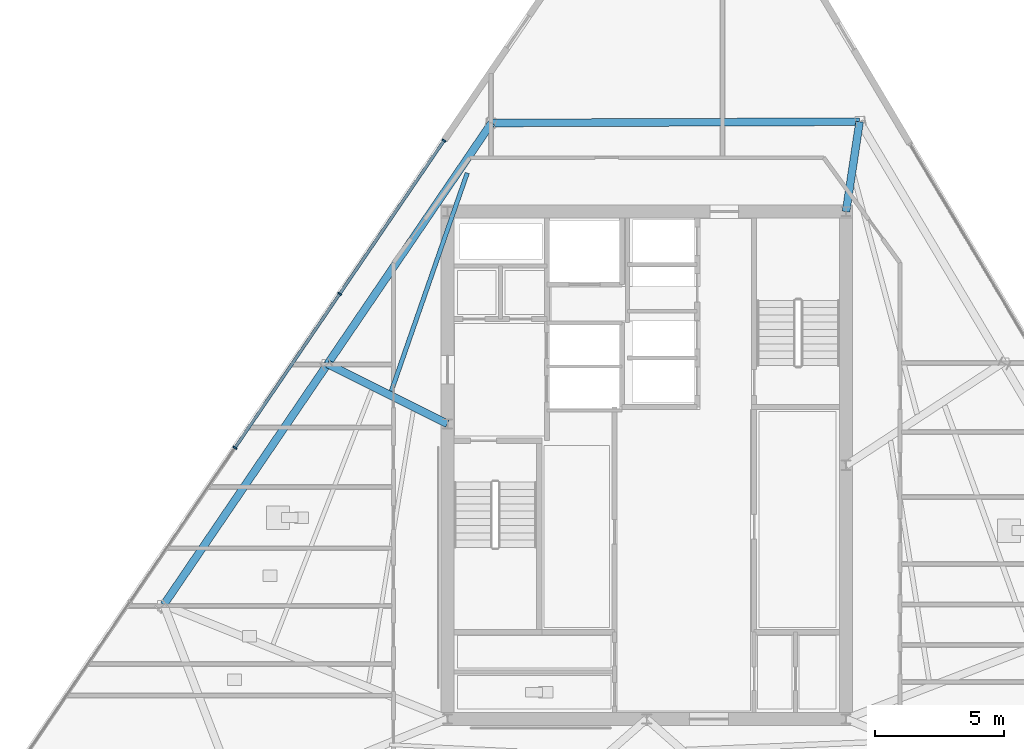
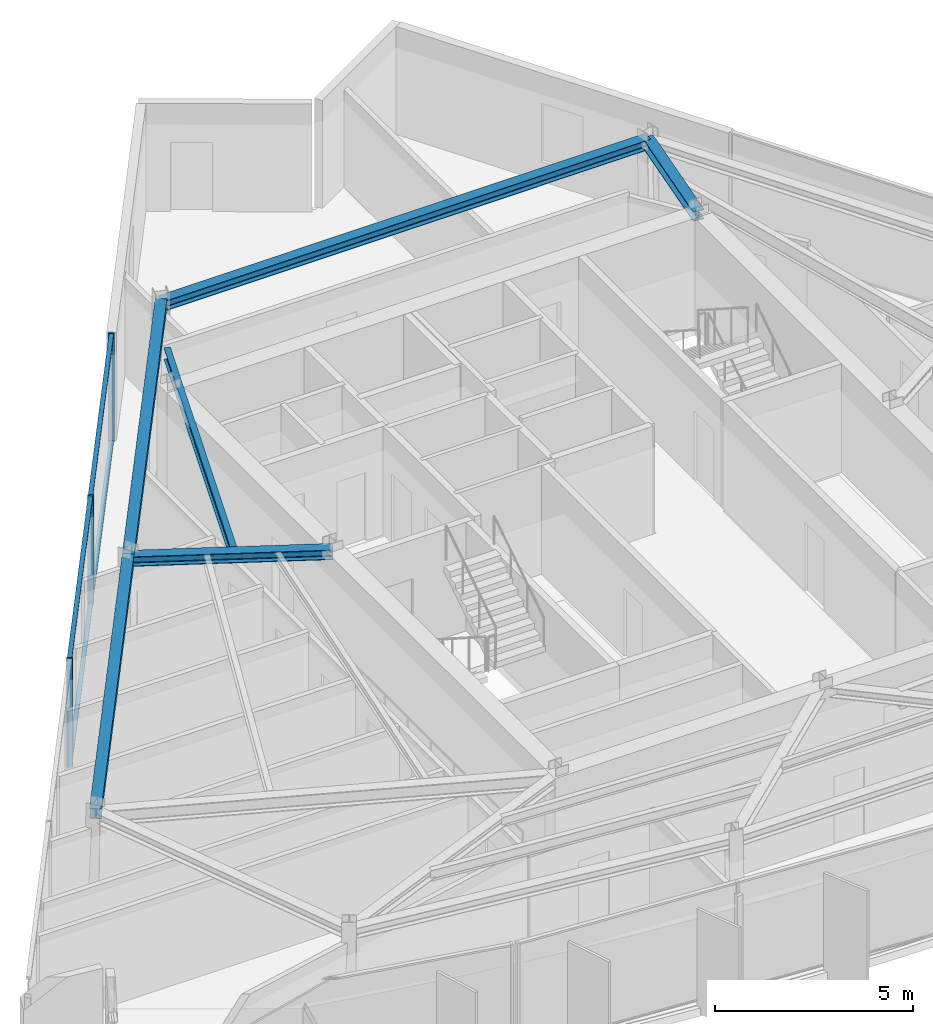
# One storey, part 4 of 13: 7 members, 6 beams, 1 element without a shape of its own.
"""IFC4 building model written with IfcOpenShell, lengths in metres."""

from ifc_helpers import new_model, si_unit, direction, frame, origin, origin_2d, place, context, subcontext, project, spatial, rectangle, i_section, extrude, material, material_profile, profile_set, type_object, element, aggregate, save


model = new_model("IFC4")

# Units and contexts
model_context = context("Model", 3, precision=1e-05, world=origin(), true_north=direction((0.0, 1.0)))
body_context = subcontext(model_context, "Body", "Model", "MODEL_VIEW")
ifc_project = project(units=[si_unit("LENGTHUNIT", "METRE"), si_unit("AREAUNIT", "SQUARE_METRE"), si_unit("VOLUMEUNIT", "CUBIC_METRE"), si_unit("PLANEANGLEUNIT", "RADIAN"), si_unit("MASSUNIT", "GRAM", prefix="KILO")], contexts=[model_context])

# Site, building, storey
site_placement = place(None, origin())
site = spatial("IfcSite", under=ifc_project, at=site_placement, CompositionType="ELEMENT")
building_placement = place(site_placement, origin())
building = spatial("IfcBuilding", under=site, at=building_placement, Name="Savorim Split Tower", CompositionType="ELEMENT")
storey_placement = place(building_placement, frame((0.0, 0.0, 258.0)))
storey = spatial("IfcBuildingStorey", under=building, at=storey_placement, Name="L68", CompositionType="ELEMENT", Elevation=258.0)

# Beams
ifc_material_1 = material(Name="Steel S355", Category="steel")
ifc_material_profile_1 = material_profile(ifc_material_1, i_section(OverallWidth=0.169921875, OverallDepth=0.360107421875, WebThickness=0.008056640625, FlangeThickness=0.0126953125, FilletRadius=0.01806640625, at=origin_2d()), Name="IPE 360")
ifc_profile_set_1 = profile_set([ifc_material_profile_1], Name="Steel S355")
beam_type_1 = type_object("IfcBeamType", Name="BM-JST-IPE360", PredefinedType="JOIST", material=ifc_profile_set_1)
beam_1_placement = place(storey_placement, frame((-6.934326171875, 11.69287109375, 3.169921875), z_axis=(-0.328730678271, -0.944423708493, 0.0), x_axis=(0.944423708493, -0.328730678271, 0.0)))
element("IfcBeam", 1, at=beam_1_placement, inside=storey, type_object=beam_type_1, Name="L68 Secondary Floor Joist JS-09", PredefinedType="JOIST", context=body_context, shape_type="SweptSolid", body=[
    extrude(i_section(OverallWidth=0.169921875, OverallDepth=0.360107421875, WebThickness=0.008056640625, FlangeThickness=0.0126953125, FilletRadius=0.01806640625, at=origin_2d()), origin(), (0.0, 0.0, 1.0), 8.925537109375),
])
ifc_material_profile_2 = material_profile(ifc_material_1, i_section(OverallWidth=0.300048828125, OverallDepth=0.300048828125, WebThickness=0.010986328125, FlangeThickness=0.01904296875, FilletRadius=0.027099609375, at=origin_2d()), Name="HEB 300")
ifc_profile_set_2 = profile_set([ifc_material_profile_2], Name="Steel S355")
beam_type_2 = type_object("IfcBeamType", Name="BM-PRI-HEB300", PredefinedType="BEAM", material=ifc_profile_set_2)
beam_2_placement = place(storey_placement, frame((8.223388671875, 13.673583984375, 3.199951171875), z_axis=(-0.149006525157, -0.988836212656, 0.0), x_axis=(0.988836212656, -0.149006525157, 0.0)))
element("IfcBeam", 2, at=beam_2_placement, inside=storey, type_object=beam_type_2, Name="L68 Primary Floor Girder RG-07", PredefinedType="BEAM", context=body_context, shape_type="SweptSolid", body=[
    extrude(i_section(OverallWidth=0.300048828125, OverallDepth=0.300048828125, WebThickness=0.010986328125, FlangeThickness=0.01904296875, FilletRadius=0.027099609375, at=origin_2d()), origin(), (0.0, 0.0, 1.0), 3.512939453125),
])
beam_3_placement = place(storey_placement, frame((-12.326904296875, 4.317626953125, 3.199951171875), z_axis=(0.894106154526, -0.447855093126, 0.0), x_axis=(0.447855093126, 0.894106154526, 0.0)))
element("IfcBeam", 3, at=beam_3_placement, inside=storey, type_object=beam_type_2, Name="L68 Primary Floor Girder RG-09", PredefinedType="BEAM", context=body_context, shape_type="SweptSolid", body=[
    extrude(i_section(OverallWidth=0.300048828125, OverallDepth=0.300048828125, WebThickness=0.010986328125, FlangeThickness=0.01904296875, FilletRadius=0.027099609375, at=origin_2d()), origin(), (0.0, 0.0, 1.0), 5.175048828125),
])
ifc_material_profile_3 = material_profile(ifc_material_1, i_section(OverallWidth=0.300048828125, OverallDepth=0.31005859375, WebThickness=0.009033203125, FlangeThickness=0.015380859375, FilletRadius=0.027099609375, at=origin_2d()), Name="HEA 320")
ifc_profile_set_3 = profile_set([ifc_material_profile_3], Name="Steel S355")
beam_type_3 = type_object("IfcBeamType", Name="BM-SPN-HEA320", PredefinedType="SPANDREL", material=ifc_profile_set_3)
beam_4_placement = place(storey_placement, frame((8.223388671875, 13.673583984375, 3.195068359375), z_axis=(-0.99999410385, -0.003433986724, 0.0), x_axis=(0.003433986724, -0.99999410385, 0.0)))
element("IfcBeam", 4, at=beam_4_placement, inside=storey, type_object=beam_type_3, Name="L68 Perimeter Spandrel Beam 7", PredefinedType="SPANDREL", context=body_context, shape_type="SweptSolid", body=[
    extrude(i_section(OverallWidth=0.300048828125, OverallDepth=0.31005859375, WebThickness=0.009033203125, FlangeThickness=0.015380859375, FilletRadius=0.027099609375, at=origin_2d()), origin(), (0.0, 0.0, 1.0), 14.218994140625),
])
for number, where, z_axis, x_axis, name in (
    (5, (-5.99560546875, 13.624755859375, 3.195068359375), (-0.562458916022, -0.826825234126, 0.0), (0.826825234126, -0.562458916022, 0.0), "L68 Perimeter Spandrel Beam 8"),
    (6, (-12.326904296875, 4.317626953125, 3.195068359375), (-0.562458916022, -0.826825234126, 0.0), (0.826825234126, -0.562458916022, 0.0), "L68 Perimeter Spandrel Beam 9"),
):
    element("IfcBeam", number, at=place(storey_placement, frame(where, z_axis=z_axis, x_axis=x_axis)), inside=storey, type_object=beam_type_3, Name=name, PredefinedType="SPANDREL", context=body_context, shape_type="SweptSolid", body=[
        extrude(i_section(OverallWidth=0.300048828125, OverallDepth=0.31005859375, WebThickness=0.009033203125, FlangeThickness=0.015380859375, FilletRadius=0.027099609375, at=origin_2d()), origin(), (0.0, 0.0, 1.0), 11.25634765625),
    ])

# Curtain wall, members
ifc_material_2 = material(Name="Dark Ceramic-Fritted Insulated Glass", Category="glass")
curtain_wall_type = type_object("IfcCurtainWallType", Name="CW-TWR-FRIT-B", PredefinedType="NOTDEFINED", material=ifc_material_2)
curtain_wall_placement = place(storey_placement, origin())
curtain_wall = element("IfcCurtainWall", 7, at=curtain_wall_placement, inside=storey, type_object=curtain_wall_type, Name="L68 Curtain Wall CW-L68-WEST", PredefinedType="NOTDEFINED")
ifc_material_3 = material(Name="Charcoal Anodised Aluminium", Category="aluminium")
ifc_material_profile_4 = material_profile(ifc_material_3, rectangle(XDim=0.159912109375, YDim=0.06005859375, at=origin_2d()), Name="ALU-M 160x60")
ifc_profile_set_4 = profile_set([ifc_material_profile_4], Name="Charcoal Anodised Aluminium")
member_type_1 = type_object("IfcMemberType", Name="CWM-160x60", PredefinedType="MULLION", material=ifc_profile_set_4)
member_1_placement = place(storey_placement, frame((-7.833740234375, 12.946044921875, 0.0), z_axis=(0.0, 0.0, 1.0), x_axis=(0.826817472755, -0.562470325215, 0.0)))
member_1 = element("IfcMember", 8, at=member_1_placement, type_object=member_type_1, Name="CW-03 mullion 1", PredefinedType="MULLION", context=body_context, shape_type="SweptSolid", body=[
    extrude(rectangle(XDim=0.159912109375, YDim=0.06005859375, at=origin_2d()), origin(), (0.0, 0.0, 1.0), 3.35009765625),
])
member_2_placement = place(storey_placement, frame((-11.86181640625, 7.02490234375, 0.0), z_axis=(0.0, 0.0, 1.0), x_axis=(0.826817472755, -0.562470325215, 0.0)))
member_2 = element("IfcMember", 9, at=member_2_placement, type_object=member_type_1, Name="CW-03 mullion 2", PredefinedType="MULLION", context=body_context, shape_type="SweptSolid", body=[
    extrude(rectangle(XDim=0.159912109375, YDim=0.06005859375, at=origin_2d()), origin(), (0.0, 0.0, 1.0), 3.35009765625),
])
member_3_placement = place(storey_placement, frame((-15.906982421875, 1.078857421875, 0.0), z_axis=(0.0, 0.0, 1.0), x_axis=(0.826817472755, -0.562470325215, 0.0)))
member_3 = element("IfcMember", 10, at=member_3_placement, type_object=member_type_1, Name="CW-03 mullion 3", PredefinedType="MULLION", context=body_context, shape_type="SweptSolid", body=[
    extrude(rectangle(XDim=0.159912109375, YDim=0.06005859375, at=origin_2d()), origin(), (0.0, 0.0, 1.0), 3.35009765625),
])
ifc_material_profile_5 = material_profile(ifc_material_3, rectangle(XDim=0.1201171875, YDim=0.050048828125, at=origin_2d()), Name="ALU-T 120x50")
ifc_profile_set_5 = profile_set([ifc_material_profile_5], Name="Charcoal Anodised Aluminium")
member_type_2 = type_object("IfcMemberType", Name="CWT-120x50", PredefinedType="USERDEFINED", material=ifc_profile_set_5)
member_4_placement = place(storey_placement, frame((-7.8505859375, 12.92138671875, 0.02490234375), z_axis=(-0.562458582496, -0.826825461011, 0.0), x_axis=(0.826825461011, -0.562458582496, 0.0)))
member_4 = element("IfcMember", 11, at=member_4_placement, type_object=member_type_2, Name="CW-03 transom 1.1", ObjectType="TRANSOM", PredefinedType="USERDEFINED", context=body_context, shape_type="SweptSolid", body=[
    extrude(rectangle(XDim=0.1201171875, YDim=0.050048828125, at=origin_2d()), origin(), (0.0, 0.0, 1.0), 7.1015625),
])
member_5_placement = place(storey_placement, frame((-7.8505859375, 12.92138671875, 3.324951171875), z_axis=(-0.562458582496, -0.826825461011, 0.0), x_axis=(0.826825461011, -0.562458582496, 0.0)))
member_5 = element("IfcMember", 12, at=member_5_placement, type_object=member_type_2, Name="CW-03 transom 1.2", ObjectType="TRANSOM", PredefinedType="USERDEFINED", context=body_context, shape_type="SweptSolid", body=[
    extrude(rectangle(XDim=0.1201171875, YDim=0.050048828125, at=origin_2d()), origin(), (0.0, 0.0, 1.0), 7.1015625),
])
member_6_placement = place(storey_placement, frame((-11.878662109375, 7.0, 0.02490234375), z_axis=(-0.56248885338, -0.826804868045, 0.0), x_axis=(0.826804868045, -0.56248885338, 0.0)))
member_6 = element("IfcMember", 13, at=member_6_placement, type_object=member_type_2, Name="CW-03 transom 2.1", ObjectType="TRANSOM", PredefinedType="USERDEFINED", context=body_context, shape_type="SweptSolid", body=[
    extrude(rectangle(XDim=0.1201171875, YDim=0.050048828125, at=origin_2d()), origin(), (0.0, 0.0, 1.0), 7.131591796875),
])
member_7_placement = place(storey_placement, frame((-11.878662109375, 7.0, 3.324951171875), z_axis=(-0.56248885338, -0.826804868045, 0.0), x_axis=(0.826804868045, -0.56248885338, 0.0)))
member_7 = element("IfcMember", 14, at=member_7_placement, type_object=member_type_2, Name="CW-03 transom 2.2", ObjectType="TRANSOM", PredefinedType="USERDEFINED", context=body_context, shape_type="SweptSolid", body=[
    extrude(rectangle(XDim=0.1201171875, YDim=0.050048828125, at=origin_2d()), origin(), (0.0, 0.0, 1.0), 7.131591796875),
])
aggregate(curtain_wall, [member_1, member_2, member_3, member_4, member_5, member_6, member_7])

save(model, "model.ifc")
